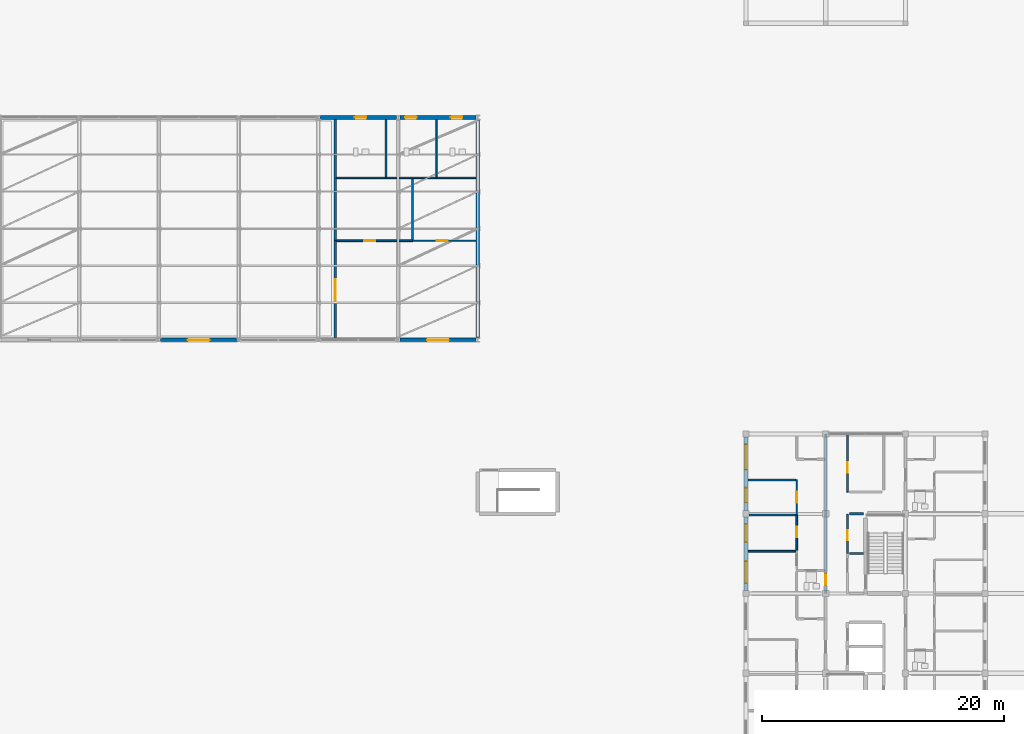
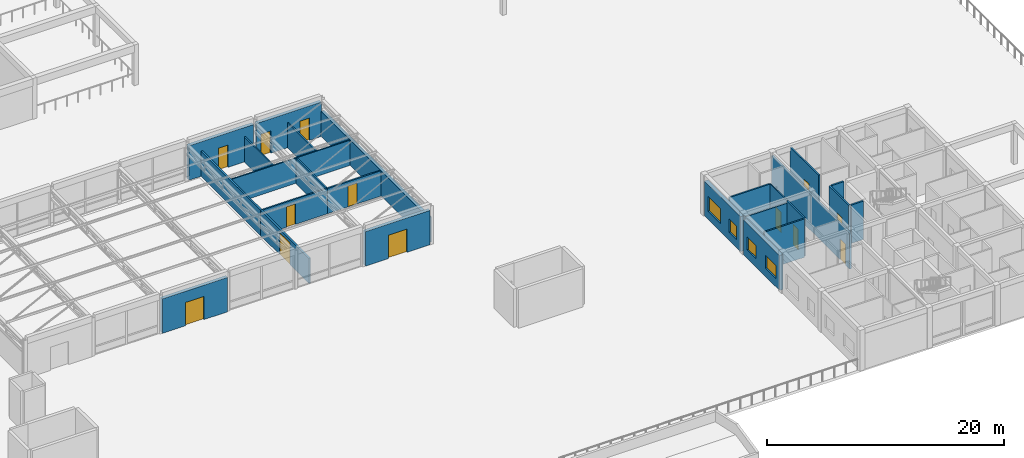
# One storey, part 69 of 92: 25 walls, 13 doors, 4 windows, 17 openings.
"""IFC4 building model written with IfcOpenShell, lengths in metres."""

from ifc_helpers import new_model, si_unit, direction, frame, frame_2d, origin, place, context, subcontext, project, spatial, rectangle, extrude, material, layer, layer_set, type_object, element, fill, save


model = new_model("IFC4")

# Units and contexts
model_context = context("Model", 3, precision=1e-05, world=origin(), true_north=direction((0.0, 1.0)))
body_context = subcontext(model_context, "Body", "Model", "MODEL_VIEW")
ifc_project = project(units=[si_unit("LENGTHUNIT", "METRE"), si_unit("AREAUNIT", "SQUARE_METRE"), si_unit("VOLUMEUNIT", "CUBIC_METRE"), si_unit("PLANEANGLEUNIT", "RADIAN"), si_unit("MASSUNIT", "GRAM", prefix="KILO")], contexts=[model_context])

# Site, building, storey
site_placement = place(None, origin())
site = spatial("IfcSite", under=ifc_project, at=site_placement, CompositionType="ELEMENT")
building_placement = place(site_placement, origin())
building = spatial("IfcBuilding", under=site, at=building_placement, Name="Kernevlak Ridge Housing Community", CompositionType="ELEMENT")
storey_placement = place(building_placement, frame((0.0, 0.0, 4.199951171875)))
storey = spatial("IfcBuildingStorey", under=building, at=storey_placement, Name="L01", CompositionType="ELEMENT", Elevation=4.199951171875)

# Wall, opening, door
ifc_material_1 = material(Name="Concrete block masonry M10", Category="masonry")
ifc_layer_1 = layer(ifc_material_1, 0.320068359375, Name="Concrete block masonry M10")
ifc_layer_set_1 = layer_set([ifc_layer_1], Name="Concrete block masonry M10")
wall_type_1 = type_object("IfcWallType", Name="EW-02", PredefinedType="STANDARD", material=ifc_layer_set_1)
wall_1_placement = place(storey_placement, frame((77.5400390625, 49.800048828125, 0.0), z_axis=(0.0, 0.0, 1.0), x_axis=(1.0, 0.0, 0.0)))
wall_1 = element("IfcWall", 1, at=wall_1_placement, inside=storey, type_object=wall_type_1, Name="Exterior wall EW-02 L01 913", PredefinedType="STANDARD", context=body_context, shape_type="SweptSolid", body=[
    extrude(rectangle(XDim=6.35986328125, YDim=0.320068359375, at=frame_2d((3.179931640625, 0.0))), origin(), (0.0, 0.0, 1.0), 3.550048828125),
])
opening_1_placement = place(wall_1_placement, frame((2.260009765625, 0.0, 0.0)))
opening_1 = element("IfcOpeningElement", 2, at=opening_1_placement, cuts=wall_1, Name="Opening E814", PredefinedType="OPENING", context=body_context, shape_type="SweptSolid", body=[
    extrude(rectangle(XDim=1.800048828125, YDim=2.39990234375, at=frame_2d((0.89990234375, 1.199951171875))), frame((0.0, 0.169921875, 0.0), z_axis=(0.0, -1.0, 0.0), x_axis=(1.0, 0.0, 0.0)), (0.0, 0.0, 1.0), 0.340087890625),
])
ifc_material_2 = material(Name="Aluminium EN AW-6060 and laminated safety glass", Category="aluminium")
door_type_1 = type_object("IfcDoorType", Name="DT-10", OperationType="DOUBLE_DOOR_SINGLE_SWING", PredefinedType="DOOR", material=ifc_material_2)
door_1_placement = place(opening_1_placement, origin())
door_1 = element("IfcDoor", 3, at=door_1_placement, inside=storey, type_object=door_type_1, Name="Community Hall central plaza exit E814", OperationType="DOUBLE_DOOR_SINGLE_SWING", OverallHeight=2.39990234375, OverallWidth=1.800048828125, PredefinedType="DOOR", context=body_context, shape_type="SweptSolid", body=[
    extrude(rectangle(XDim=1.800048828125, YDim=2.39990234375, at=frame_2d((0.89990234375, 1.199951171875))), frame((0.0, 0.02490234375, 0.0), z_axis=(0.0, -1.0, 0.0), x_axis=(1.0, 0.0, 0.0)), (0.0, 0.0, 1.0), 0.050048828125),
])
fill(opening_1, door_1)

wall_2_placement = place(storey_placement, frame((90.739990234375, 68.199951171875, 0.0), z_axis=(0.0, 0.0, 1.0), x_axis=(1.0, 0.0, 0.0)))
wall_2 = element("IfcWall", 4, at=wall_2_placement, inside=storey, type_object=wall_type_1, Name="Exterior wall EW-02 L01 914", PredefinedType="STANDARD", context=body_context, shape_type="SweptSolid", body=[
    extrude(rectangle(XDim=6.31005859375, YDim=0.320068359375, at=frame_2d((3.155029296875, 0.0))), origin(), (0.0, 0.0, 1.0), 3.550048828125),
])
opening_2_placement = place(wall_2_placement, frame((2.885009765625, 0.0, 0.0)))
opening_2 = element("IfcOpeningElement", 5, at=opening_2_placement, cuts=wall_2, Name="Opening E816", PredefinedType="OPENING", context=body_context, shape_type="SweptSolid", body=[
    extrude(rectangle(XDim=0.949951171875, YDim=2.300048828125, at=frame_2d((0.47509765625, 1.14990234375))), frame((0.0, 0.169921875, 0.0), z_axis=(0.0, -1.0, 0.0), x_axis=(1.0, 0.0, 0.0)), (0.0, 0.0, 1.0), 0.340087890625),
])
ifc_material_3 = material(Name="Powder-coated sheet steel", Category="steel")
door_type_2 = type_object("IfcDoorType", Name="DT-14", OperationType="NOTDEFINED", PredefinedType="DOOR", material=ifc_material_3)
door_2_placement = place(opening_2_placement, origin())
door_2 = element("IfcDoor", 6, at=door_2_placement, inside=storey, type_object=door_type_2, Name="Community Male WC plaza door E816", OperationType="SINGLE_SWING_LEFT", OverallHeight=2.300048828125, OverallWidth=0.949951171875, PredefinedType="DOOR", context=body_context, shape_type="SweptSolid", body=[
    extrude(rectangle(XDim=0.949951171875, YDim=2.300048828125, at=frame_2d((0.47509765625, 1.14990234375))), frame((0.0, 0.02490234375, 0.0), z_axis=(0.0, -1.0, 0.0), x_axis=(1.0, 0.0, 0.0)), (0.0, 0.0, 1.0), 0.050048828125),
])
fill(opening_2, door_2)

wall_3_placement = place(storey_placement, frame((97.35009765625, 49.800048828125, 0.0), z_axis=(0.0, 0.0, 1.0), x_axis=(1.0, 0.0, 0.0)))
wall_3 = element("IfcWall", 7, at=wall_3_placement, inside=storey, type_object=wall_type_1, Name="Exterior wall EW-02 L01 915", PredefinedType="STANDARD", context=body_context, shape_type="SweptSolid", body=[
    extrude(rectangle(XDim=6.2998046875, YDim=0.320068359375, at=frame_2d((3.14990234375, 0.0))), origin(), (0.0, 0.0, 1.0), 3.550048828125),
])
opening_3_placement = place(wall_3_placement, frame((2.25, 0.0, 0.0)))
opening_3 = element("IfcOpeningElement", 8, at=opening_3_placement, cuts=wall_3, Name="Opening E815", PredefinedType="OPENING", context=body_context, shape_type="SweptSolid", body=[
    extrude(rectangle(XDim=1.800048828125, YDim=2.39990234375, at=frame_2d((0.89990234375, 1.199951171875))), frame((0.0, 0.169921875, 0.0), z_axis=(0.0, -1.0, 0.0), x_axis=(1.0, 0.0, 0.0)), (0.0, 0.0, 1.0), 0.340087890625),
])
door_3_placement = place(opening_3_placement, origin())
door_3 = element("IfcDoor", 9, at=door_3_placement, inside=storey, type_object=door_type_1, Name="Community Hall Foyer plaza entrance E815", OperationType="DOUBLE_DOOR_SINGLE_SWING", OverallHeight=2.39990234375, OverallWidth=1.800048828125, PredefinedType="DOOR", context=body_context, shape_type="SweptSolid", body=[
    extrude(rectangle(XDim=1.800048828125, YDim=2.39990234375, at=frame_2d((0.89990234375, 1.199951171875))), frame((0.0, 0.02490234375, 0.0), z_axis=(0.0, -1.0, 0.0), x_axis=(1.0, 0.0, 0.0)), (0.0, 0.0, 1.0), 0.050048828125),
])
fill(opening_3, door_3)

# Wall, openings, doors
wall_4_placement = place(storey_placement, frame((97.35009765625, 68.199951171875, 0.0), z_axis=(0.0, 0.0, 1.0), x_axis=(1.0, 0.0, 0.0)))
wall_4 = element("IfcWall", 10, at=wall_4_placement, inside=storey, type_object=wall_type_1, Name="Exterior wall EW-02 L01 916", PredefinedType="STANDARD", context=body_context, shape_type="SweptSolid", body=[
    extrude(rectangle(XDim=6.2998046875, YDim=0.320068359375, at=frame_2d((3.14990234375, 0.0))), origin(), (0.0, 0.0, 1.0), 3.550048828125),
])
opening_4_placement = place(wall_4_placement, frame((0.425048828125, 0.0, 0.0)))
opening_4 = element("IfcOpeningElement", 11, at=opening_4_placement, cuts=wall_4, Name="Opening E817", PredefinedType="OPENING", context=body_context, shape_type="SweptSolid", body=[
    extrude(rectangle(XDim=0.949951171875, YDim=2.300048828125, at=frame_2d((0.47509765625, 1.14990234375))), frame((0.0, 0.169921875, 0.0), z_axis=(0.0, -1.0, 0.0), x_axis=(1.0, 0.0, 0.0)), (0.0, 0.0, 1.0), 0.340087890625),
])
opening_5_placement = place(wall_4_placement, frame((4.22509765625, 0.0, 0.0)))
opening_5 = element("IfcOpeningElement", 12, at=opening_5_placement, cuts=wall_4, Name="Opening E818", PredefinedType="OPENING", context=body_context, shape_type="SweptSolid", body=[
    extrude(rectangle(XDim=0.949951171875, YDim=2.300048828125, at=frame_2d((0.47509765625, 1.14990234375))), frame((0.0, 0.169921875, 0.0), z_axis=(0.0, -1.0, 0.0), x_axis=(1.0, 0.0, 0.0)), (0.0, 0.0, 1.0), 0.340087890625),
])
door_4_placement = place(opening_4_placement, origin())
door_4 = element("IfcDoor", 13, at=door_4_placement, inside=storey, type_object=door_type_2, Name="Community Female WC plaza door E817", OperationType="SINGLE_SWING_RIGHT", OverallHeight=2.300048828125, OverallWidth=0.949951171875, PredefinedType="DOOR", context=body_context, shape_type="SweptSolid", body=[
    extrude(rectangle(XDim=0.949951171875, YDim=2.300048828125, at=frame_2d((0.47509765625, 1.14990234375))), frame((0.0, 0.02490234375, 0.0), z_axis=(0.0, -1.0, 0.0), x_axis=(1.0, 0.0, 0.0)), (0.0, 0.0, 1.0), 0.050048828125),
])
fill(opening_4, door_4)
door_5_placement = place(opening_5_placement, origin())
door_5 = element("IfcDoor", 14, at=door_5_placement, inside=storey, type_object=door_type_2, Name="Community Accessible WC plaza door E818", OperationType="SINGLE_SWING_LEFT", OverallHeight=2.300048828125, OverallWidth=0.949951171875, PredefinedType="DOOR", context=body_context, shape_type="SweptSolid", body=[
    extrude(rectangle(XDim=0.949951171875, YDim=2.300048828125, at=frame_2d((0.47509765625, 1.14990234375))), frame((0.0, 0.02490234375, 0.0), z_axis=(0.0, -1.0, 0.0), x_axis=(1.0, 0.0, 0.0)), (0.0, 0.0, 1.0), 0.050048828125),
])
fill(opening_5, door_5)

# Wall
wall_5_placement = place(storey_placement, frame((103.800048828125, 49.969970703125, 0.0), z_axis=(0.0, 0.0, 1.0), x_axis=(0.0, 1.0, 0.0)))
element("IfcWall", 15, at=wall_5_placement, inside=storey, type_object=wall_type_1, Name="Exterior wall EW-02 L01 918", PredefinedType="STANDARD", context=body_context, shape_type="SweptSolid", body=[
    extrude(rectangle(XDim=18.06005859375, YDim=0.320068359375, at=frame_2d((9.030029296875, 0.0))), origin(), (0.0, 0.0, 1.0), 2.60009765625),
])

# Wall, openings, windows
ifc_layer_2 = layer(ifc_material_1, 0.340087890625, Name="Concrete block masonry M10")
ifc_layer_set_2 = layer_set([ifc_layer_2], Name="Concrete block masonry M10")
wall_type_2 = type_object("IfcWallType", Name="EW-04", PredefinedType="STANDARD", material=ifc_layer_set_2)
wall_6_placement = place(storey_placement, frame((126.0, 29.050048828125, 0.0), z_axis=(0.0, 0.0, 1.0), x_axis=(0.0, 1.0, 0.0)))
wall_6 = element("IfcWall", 16, at=wall_6_placement, inside=storey, type_object=wall_type_2, Name="Exterior wall EW-04 L01 548", PredefinedType="STANDARD", context=body_context, shape_type="SweptSolid", body=[
    extrude(rectangle(XDim=6.099853515625, YDim=0.340087890625, at=frame_2d((3.0498046875, 0.0))), origin(), (0.0, 0.0, 1.0), 3.60009765625),
])
opening_6_placement = place(wall_6_placement, frame((0.60009765625, 0.0, 0.85009765625)))
opening_6 = element("IfcOpeningElement", 17, at=opening_6_placement, cuts=wall_6, Name="Opening WT-03", PredefinedType="OPENING", context=body_context, shape_type="SweptSolid", body=[
    extrude(rectangle(XDim=1.800048828125, YDim=1.35009765625, at=frame_2d((0.89990234375, 0.675048828125))), frame((0.0, 0.179931640625, 0.0), z_axis=(0.0, -1.0, 0.0), x_axis=(1.0, 0.0, 0.0)), (0.0, 0.0, 1.0), 0.360107421875),
])
opening_7_placement = place(wall_6_placement, frame((4.0, 0.0, 0.85009765625)))
opening_7 = element("IfcOpeningElement", 18, at=opening_7_placement, cuts=wall_6, Name="Opening WT-02", PredefinedType="OPENING", context=body_context, shape_type="SweptSolid", body=[
    extrude(rectangle(XDim=1.5, YDim=1.35009765625, at=frame_2d((0.75, 0.675048828125))), frame((0.0, 0.179931640625, 0.0), z_axis=(0.0, -1.0, 0.0), x_axis=(1.0, 0.0, 0.0)), (0.0, 0.0, 1.0), 0.360107421875),
])
ifc_material_4 = material(Name="Aluminium EN AW-6060 anodised and laminated glass", Category="aluminium")
window_type_1 = type_object("IfcWindowType", Name="WT-02", PartitioningType="SINGLE_PANEL", PredefinedType="WINDOW", material=ifc_material_4)
window_1_placement = place(opening_7_placement, origin())
window_1 = element("IfcWindow", 19, at=window_1_placement, inside=storey, type_object=window_type_1, Name="Window WT-02 L01 432", OverallHeight=1.35009765625, OverallWidth=1.5, PartitioningType="SINGLE_PANEL", PredefinedType="WINDOW", context=body_context, shape_type="SweptSolid", body=[
    extrude(rectangle(XDim=1.5, YDim=1.35009765625, at=frame_2d((0.75, 0.675048828125))), frame((0.0, 0.030029296875, 0.0), z_axis=(0.0, -1.0, 0.0), x_axis=(1.0, 0.0, 0.0)), (0.0, 0.0, 1.0), 0.06005859375),
])
fill(opening_7, window_1)
window_type_2 = type_object("IfcWindowType", Name="WT-03", PartitioningType="SINGLE_PANEL", PredefinedType="WINDOW", material=ifc_material_4)
window_2_placement = place(opening_6_placement, origin())
window_2 = element("IfcWindow", 20, at=window_2_placement, inside=storey, type_object=window_type_2, Name="Window WT-03 L01 431", OverallHeight=1.35009765625, OverallWidth=1.800048828125, PartitioningType="SINGLE_PANEL", PredefinedType="WINDOW", context=body_context, shape_type="SweptSolid", body=[
    extrude(rectangle(XDim=1.800048828125, YDim=1.35009765625, at=frame_2d((0.89990234375, 0.675048828125))), frame((0.0, 0.030029296875, 0.0), z_axis=(0.0, -1.0, 0.0), x_axis=(1.0, 0.0, 0.0)), (0.0, 0.0, 1.0), 0.06005859375),
])
fill(opening_6, window_2)

wall_7_placement = place(storey_placement, frame((126.0, 35.64990234375, 0.0), z_axis=(0.0, 0.0, 1.0), x_axis=(0.0, 1.0, 0.0)))
wall_7 = element("IfcWall", 21, at=wall_7_placement, inside=storey, type_object=wall_type_2, Name="Exterior wall EW-04 L01 549", PredefinedType="STANDARD", context=body_context, shape_type="SweptSolid", body=[
    extrude(rectangle(XDim=6.10009765625, YDim=0.340087890625, at=frame_2d((3.050048828125, 0.0))), origin(), (0.0, 0.0, 1.0), 3.60009765625),
])
opening_8_placement = place(wall_7_placement, frame((0.699951171875, 0.0, 0.85009765625)))
opening_8 = element("IfcOpeningElement", 22, at=opening_8_placement, cuts=wall_7, Name="Opening WT-01", PredefinedType="OPENING", context=body_context, shape_type="SweptSolid", body=[
    extrude(rectangle(XDim=1.199951171875, YDim=1.35009765625, at=frame_2d((0.60009765625, 0.675048828125))), frame((0.0, 0.179931640625, 0.0), z_axis=(0.0, -1.0, 0.0), x_axis=(1.0, 0.0, 0.0)), (0.0, 0.0, 1.0), 0.360107421875),
])
opening_9_placement = place(wall_7_placement, frame((3.39990234375, 0.0, 0.85009765625)))
opening_9 = element("IfcOpeningElement", 23, at=opening_9_placement, cuts=wall_7, Name="Opening WT-05", PredefinedType="OPENING", context=body_context, shape_type="SweptSolid", body=[
    extrude(rectangle(XDim=2.10009765625, YDim=1.550048828125, at=frame_2d((1.050048828125, 0.77490234375))), frame((0.0, 0.179931640625, 0.0), z_axis=(0.0, -1.0, 0.0), x_axis=(1.0, 0.0, 0.0)), (0.0, 0.0, 1.0), 0.360107421875),
])
window_type_3 = type_object("IfcWindowType", Name="WT-01", PartitioningType="SINGLE_PANEL", PredefinedType="WINDOW", material=ifc_material_4)
window_3_placement = place(opening_8_placement, origin())
window_3 = element("IfcWindow", 24, at=window_3_placement, inside=storey, type_object=window_type_3, Name="Window WT-01 L01 433", OverallHeight=1.35009765625, OverallWidth=1.199951171875, PartitioningType="SINGLE_PANEL", PredefinedType="WINDOW", context=body_context, shape_type="SweptSolid", body=[
    extrude(rectangle(XDim=1.199951171875, YDim=1.35009765625, at=frame_2d((0.60009765625, 0.675048828125))), frame((0.0, 0.030029296875, 0.0), z_axis=(0.0, -1.0, 0.0), x_axis=(1.0, 0.0, 0.0)), (0.0, 0.0, 1.0), 0.06005859375),
])
fill(opening_8, window_3)
window_type_4 = type_object("IfcWindowType", Name="WT-05", PartitioningType="SINGLE_PANEL", PredefinedType="WINDOW", material=ifc_material_4)
window_4_placement = place(opening_9_placement, origin())
window_4 = element("IfcWindow", 25, at=window_4_placement, inside=storey, type_object=window_type_4, Name="Window WT-05 L01 434", OverallHeight=1.550048828125, OverallWidth=2.10009765625, PartitioningType="SINGLE_PANEL", PredefinedType="WINDOW", context=body_context, shape_type="SweptSolid", body=[
    extrude(rectangle(XDim=2.10009765625, YDim=1.550048828125, at=frame_2d((1.050048828125, 0.77490234375))), frame((0.0, 0.030029296875, 0.0), z_axis=(0.0, -1.0, 0.0), x_axis=(1.0, 0.0, 0.0)), (0.0, 0.0, 1.0), 0.06005859375),
])
fill(opening_9, window_4)

# Wall, opening, door
ifc_layer_3 = layer(ifc_material_1, 0.175048828125, Name="Concrete block masonry M10")
ifc_layer_set_3 = layer_set([ifc_layer_3], Name="Concrete block masonry M10")
wall_type_3 = type_object("IfcWallType", Name="PW-02", PredefinedType="PARTITIONING", material=ifc_layer_set_3)
wall_8_placement = place(storey_placement, frame((134.39990234375, 32.10009765625, 0.0), z_axis=(0.0, 0.0, 1.0), x_axis=(0.0, 1.0, 0.0)))
wall_8 = element("IfcWall", 26, at=wall_8_placement, inside=storey, type_object=wall_type_3, Name="Interior wall PW-02 WAL-INT-L01-2174", PredefinedType="PARTITIONING", context=body_context, shape_type="SweptSolid", body=[
    extrude(rectangle(XDim=3.2998046875, YDim=0.175048828125, at=frame_2d((1.64990234375, 0.0))), origin(), (0.0, 0.0, 1.0), 3.9599609375),
])
opening_10_placement = place(wall_8_placement, frame((1.10009765625, 0.0, 0.0)))
opening_10 = element("IfcOpeningElement", 27, at=opening_10_placement, cuts=wall_8, Name="Opening E102", PredefinedType="OPENING", context=body_context, shape_type="SweptSolid", body=[
    extrude(rectangle(XDim=0.85009765625, YDim=2.0, at=frame_2d((0.425048828125, 1.0))), frame((0.0, 0.097412109375, 0.0), z_axis=(0.0, -1.0, 0.0), x_axis=(1.0, 0.0, 0.0)), (0.0, 0.0, 1.0), 0.195068359375),
])
ifc_material_5 = material(Name="Fire-rated sheet steel leaf", Category="steel")
door_type_3 = type_object("IfcDoorType", Name="DT-07", OperationType="NOTDEFINED", PredefinedType="DOOR", material=ifc_material_5)
door_6_placement = place(opening_10_placement, origin())
door_6 = element("IfcDoor", 28, at=door_6_placement, inside=storey, type_object=door_type_3, Name="Block C Cleaner store door E102", OperationType="SINGLE_SWING_LEFT", OverallHeight=2.0, OverallWidth=0.85009765625, PredefinedType="DOOR", context=body_context, shape_type="SweptSolid", body=[
    extrude(rectangle(XDim=0.85009765625, YDim=2.0, at=frame_2d((0.425048828125, 1.0))), frame((0.0, 0.02490234375, 0.0), z_axis=(0.0, -1.0, 0.0), x_axis=(1.0, 0.0, 0.0)), (0.0, 0.0, 1.0), 0.050048828125),
])
fill(opening_10, door_6)

# Walls
for number, where, z_axis, x_axis, name in (
    (29, (134.580078125, 32.10009765625, 0.0), (0.0, 0.0, 1.0), (1.0, 0.0, 0.0), "Interior wall PW-02 WAL-INT-L01-2176"),
    (30, (134.580078125, 35.39990234375, 0.0), (0.0, 0.0, 1.0), (1.0, 0.0, 0.0), "Interior wall PW-02 WAL-INT-L01-2177"),
):
    element("IfcWall", number, at=place(storey_placement, frame(where, z_axis=z_axis, x_axis=x_axis)), inside=storey, type_object=wall_type_3, Name=name, PredefinedType="PARTITIONING", context=body_context, shape_type="SweptSolid", body=[
        extrude(rectangle(XDim=1.139892578125, YDim=0.175048828125, at=frame_2d((0.56982421875, 0.0))), origin(), (0.0, 0.0, 1.0), 3.9599609375),
    ])

# Wall, opening, door
wall_9_placement = place(storey_placement, frame((132.60009765625, 28.800048828125, 0.0), z_axis=(0.0, 0.0, 1.0), x_axis=(0.0, 1.0, 0.0)))
wall_9 = element("IfcWall", 31, at=wall_9_placement, inside=storey, type_object=wall_type_3, Name="Interior wall PW-02 WAL-INT-L01-2192", PredefinedType="PARTITIONING", context=body_context, shape_type="SweptSolid", body=[
    extrude(rectangle(XDim=13.199951171875, YDim=0.175048828125, at=frame_2d((6.60009765625, 0.0))), origin(), (0.0, 0.0, 1.0), 3.699951171875),
])
opening_11_placement = place(wall_9_placement, frame((0.669921875, 0.0, 0.0)))
opening_11 = element("IfcOpeningElement", 32, at=opening_11_placement, cuts=wall_9, Name="Opening E110", PredefinedType="OPENING", context=body_context, shape_type="SweptSolid", body=[
    extrude(rectangle(XDim=0.9599609375, YDim=2.179931640625, at=frame_2d((0.47998046875, 1.08984375))), frame((0.0, 0.097412109375, 0.0), z_axis=(0.0, -1.0, 0.0), x_axis=(1.0, 0.0, 0.0)), (0.0, 0.0, 1.0), 0.195068359375),
])
ifc_material_6 = material(Name="Hardwood timber solid-core fire leaf", Category="wood")
door_type_4 = type_object("IfcDoorType", Name="DT-29", OperationType="NOTDEFINED", PredefinedType="DOOR", material=ifc_material_6)
door_7_placement = place(opening_11_placement, origin())
door_7 = element("IfcDoor", 33, at=door_7_placement, inside=storey, type_object=door_type_4, Name="Flat C0112 entrance fire door E110", OperationType="SINGLE_SWING_LEFT", OverallHeight=2.179931640625, OverallWidth=0.9599609375, PredefinedType="DOOR", context=body_context, shape_type="SweptSolid", body=[
    extrude(rectangle(XDim=0.9599609375, YDim=2.179931640625, at=frame_2d((0.47998046875, 1.08984375))), frame((0.0, 0.02490234375, 0.0), z_axis=(0.0, -1.0, 0.0), x_axis=(1.0, 0.0, 0.0)), (0.0, 0.0, 1.0), 0.050048828125),
])
fill(opening_11, door_7)

wall_10_placement = place(storey_placement, frame((92.0, 49.800048828125, 0.0), z_axis=(0.0, 0.0, 1.0), x_axis=(0.0, 1.0, 0.0)))
wall_10 = element("IfcWall", 34, at=wall_10_placement, inside=storey, type_object=wall_type_3, Name="Interior wall PW-02 WAL-INT-L01-3572", PredefinedType="PARTITIONING", context=body_context, shape_type="SweptSolid", body=[
    extrude(rectangle(XDim=8.199951171875, YDim=0.175048828125, at=frame_2d((4.10009765625, 0.0))), origin(), (0.0, 0.0, 1.0), 2.60009765625),
])
opening_12_placement = place(wall_10_placement, frame((3.199951171875, 0.0, 0.0)))
opening_12 = element("IfcOpeningElement", 35, at=opening_12_placement, cuts=wall_10, Name="Opening E810", PredefinedType="OPENING", context=body_context, shape_type="SweptSolid", body=[
    extrude(rectangle(XDim=1.800048828125, YDim=2.260009765625, at=frame_2d((0.89990234375, 1.1298828125))), frame((0.0, 0.097412109375, 0.0), z_axis=(0.0, -1.0, 0.0), x_axis=(1.0, 0.0, 0.0)), (0.0, 0.0, 1.0), 0.195068359375),
])
door_type_5 = type_object("IfcDoorType", Name="DT-19", OperationType="DOUBLE_DOOR_SINGLE_SWING", PredefinedType="DOOR", material=ifc_material_6)
door_8_placement = place(opening_12_placement, origin())
door_8 = element("IfcDoor", 36, at=door_8_placement, inside=storey, type_object=door_type_5, Name="Community Hall main double fire doors E810", OperationType="DOUBLE_DOOR_SINGLE_SWING", OverallHeight=2.260009765625, OverallWidth=1.800048828125, PredefinedType="DOOR", context=body_context, shape_type="SweptSolid", body=[
    extrude(rectangle(XDim=1.800048828125, YDim=2.260009765625, at=frame_2d((0.89990234375, 1.1298828125))), frame((0.0, 0.02490234375, 0.0), z_axis=(0.0, -1.0, 0.0), x_axis=(1.0, 0.0, 0.0)), (0.0, 0.0, 1.0), 0.050048828125),
])
fill(opening_12, door_8)

# Wall
wall_11_placement = place(storey_placement, frame((92.0, 58.0, 0.0), z_axis=(0.0, 0.0, 1.0), x_axis=(0.0, 1.0, 0.0)))
element("IfcWall", 37, at=wall_11_placement, inside=storey, type_object=wall_type_3, Name="Interior wall PW-02 WAL-INT-L01-3573", PredefinedType="PARTITIONING", context=body_context, shape_type="SweptSolid", body=[
    extrude(rectangle(XDim=10.030029296875, YDim=0.175048828125, at=frame_2d((5.01513671875, 0.0))), origin(), (0.0, 0.0, 1.0), 2.60009765625),
])

# Wall, opening, door
ifc_layer_4 = layer(ifc_material_1, 0.14501953125, Name="Concrete block masonry M10")
ifc_layer_set_4 = layer_set([ifc_layer_4], Name="Concrete block masonry M10")
wall_type_4 = type_object("IfcWallType", Name="PW-03", PredefinedType="PARTITIONING", material=ifc_layer_set_4)
wall_12_placement = place(storey_placement, frame((134.39990234375, 37.199951171875, 0.0), z_axis=(0.0, 0.0, 1.0), x_axis=(0.0, 1.0, 0.0)))
wall_12 = element("IfcWall", 38, at=wall_12_placement, inside=storey, type_object=wall_type_4, Name="Interior wall PW-03 WAL-INT-L01-2178", PredefinedType="PARTITIONING", context=body_context, shape_type="SweptSolid", body=[
    extrude(rectangle(XDim=4.800048828125, YDim=0.14501953125, at=frame_2d((2.39990234375, 0.0))), origin(), (0.0, 0.0, 1.0), 3.9599609375),
])
opening_13_placement = place(wall_12_placement, frame((1.60009765625, 0.0, 0.0)))
opening_13 = element("IfcOpeningElement", 39, at=opening_13_placement, cuts=wall_12, Name="Opening E103", PredefinedType="OPENING", context=body_context, shape_type="SweptSolid", body=[
    extrude(rectangle(XDim=0.8798828125, YDim=2.10009765625, at=frame_2d((0.43994140625, 1.050048828125))), frame((0.0, 0.08251953125, 0.0), z_axis=(0.0, -1.0, 0.0), x_axis=(1.0, 0.0, 0.0)), (0.0, 0.0, 1.0), 0.1650390625),
])
ifc_material_7 = material(Name="Hardwood timber leaf", Category="wood")
door_type_6 = type_object("IfcDoorType", Name="DT-25", OperationType="NOTDEFINED", PredefinedType="DOOR", material=ifc_material_7)
door_9_placement = place(opening_13_placement, origin())
door_9 = element("IfcDoor", 40, at=door_9_placement, inside=storey, type_object=door_type_6, Name="Block C Laundry room door E103", OperationType="SINGLE_SWING_RIGHT", OverallHeight=2.10009765625, OverallWidth=0.8798828125, PredefinedType="DOOR", context=body_context, shape_type="SweptSolid", body=[
    extrude(rectangle(XDim=0.8798828125, YDim=2.10009765625, at=frame_2d((0.43994140625, 1.050048828125))), frame((0.0, 0.02490234375, 0.0), z_axis=(0.0, -1.0, 0.0), x_axis=(1.0, 0.0, 0.0)), (0.0, 0.0, 1.0), 0.050048828125),
])
fill(opening_13, door_9)

# Wall
wall_13_placement = place(storey_placement, frame((130.117431640625, 32.300048828125, 0.0), z_axis=(0.0, 0.0, 1.0), x_axis=(-1.0, 0.0, 0.0)))
element("IfcWall", 41, at=wall_13_placement, inside=storey, type_object=wall_type_4, Name="Interior wall PW-03 WAL-INT-L01-2198", PredefinedType="PARTITIONING", context=body_context, shape_type="SweptSolid", body=[
    extrude(rectangle(XDim=3.9375, YDim=0.14501953125, at=frame_2d((1.96875, 0.0))), origin(), (0.0, 0.0, 1.0), 3.9599609375),
])

# Wall, opening, door
wall_14_placement = place(storey_placement, frame((130.199951171875, 32.382568359375, 0.0), z_axis=(0.0, 0.0, 1.0), x_axis=(0.0, 1.0, 0.0)))
wall_14 = element("IfcWall", 42, at=wall_14_placement, inside=storey, type_object=wall_type_4, Name="Interior wall PW-03 WAL-INT-L01-2199", PredefinedType="PARTITIONING", context=body_context, shape_type="SweptSolid", body=[
    extrude(rectangle(XDim=2.91748046875, YDim=0.14501953125, at=frame_2d((1.458740234375, 0.0))), origin(), (0.0, 0.0, 1.0), 3.9599609375),
])
opening_14_placement = place(wall_14_placement, frame((1.074951171875, 0.0, 0.0)))
opening_14 = element("IfcOpeningElement", 43, at=opening_14_placement, cuts=wall_14, Name="Opening E114", PredefinedType="OPENING", context=body_context, shape_type="SweptSolid", body=[
    extrude(rectangle(XDim=0.860107421875, YDim=2.1201171875, at=frame_2d((0.43017578125, 1.06005859375))), frame((0.0, 0.08251953125, 0.0), z_axis=(0.0, -1.0, 0.0), x_axis=(1.0, 0.0, 0.0)), (0.0, 0.0, 1.0), 0.1650390625),
])
door_type_7 = type_object("IfcDoorType", Name="DT-28", OperationType="NOTDEFINED", PredefinedType="DOOR", material=ifc_material_7)
door_10_placement = place(opening_14_placement, origin())
door_10 = element("IfcDoor", 44, at=door_10_placement, inside=storey, type_object=door_type_7, Name="Flat C0112 bedroom door E114", OperationType="SINGLE_SWING_LEFT", OverallHeight=2.1201171875, OverallWidth=0.860107421875, PredefinedType="DOOR", context=body_context, shape_type="SweptSolid", body=[
    extrude(rectangle(XDim=0.860107421875, YDim=2.1201171875, at=frame_2d((0.43017578125, 1.06005859375))), frame((0.0, 0.02490234375, 0.0), z_axis=(0.0, -1.0, 0.0), x_axis=(1.0, 0.0, 0.0)), (0.0, 0.0, 1.0), 0.050048828125),
])
fill(opening_14, door_10)

# Walls
wall_15_placement = place(storey_placement, frame((130.117431640625, 35.300048828125, 0.0), z_axis=(0.0, 0.0, 1.0), x_axis=(-1.0, 0.0, 0.0)))
element("IfcWall", 45, at=wall_15_placement, inside=storey, type_object=wall_type_4, Name="Interior wall PW-03 WAL-INT-L01-2200", PredefinedType="PARTITIONING", context=body_context, shape_type="SweptSolid", body=[
    extrude(rectangle(XDim=4.037353515625, YDim=0.14501953125, at=frame_2d((2.0185546875, 0.0))), origin(), (0.0, 0.0, 1.0), 3.75),
])
wall_16_placement = place(storey_placement, frame((130.1201171875, 38.199951171875, 0.0), z_axis=(0.0, 0.0, 1.0), x_axis=(-1.0, 0.0, 0.0)))
element("IfcWall", 46, at=wall_16_placement, inside=storey, type_object=wall_type_4, Name="Interior wall PW-03 WAL-INT-L01-2202", PredefinedType="PARTITIONING", context=body_context, shape_type="SweptSolid", body=[
    extrude(rectangle(XDim=3.940185546875, YDim=0.14501953125, at=frame_2d((1.97021484375, 0.0))), origin(), (0.0, 0.0, 1.0), 3.9599609375),
])

# Wall, opening, door
wall_17_placement = place(storey_placement, frame((92.10009765625, 58.0, 0.0), z_axis=(0.0, 0.0, 1.0), x_axis=(1.0, 0.0, 0.0)))
wall_17 = element("IfcWall", 47, at=wall_17_placement, inside=storey, type_object=wall_type_4, Name="Interior wall PW-03 WAL-INT-L01-3574", PredefinedType="PARTITIONING", context=body_context, shape_type="SweptSolid", body=[
    extrude(rectangle(XDim=6.2998046875, YDim=0.14501953125, at=frame_2d((3.14990234375, 0.0))), origin(), (0.0, 0.0, 1.0), 2.60009765625),
])
opening_15_placement = place(wall_17_placement, frame((2.300048828125, 0.0, 0.0)))
opening_15 = element("IfcOpeningElement", 48, at=opening_15_placement, cuts=wall_17, Name="Opening E811", PredefinedType="OPENING", context=body_context, shape_type="SweptSolid", body=[
    extrude(rectangle(XDim=0.89990234375, YDim=2.10009765625, at=frame_2d((0.449951171875, 1.050048828125))), frame((0.0, 0.08251953125, 0.0), z_axis=(0.0, -1.0, 0.0), x_axis=(1.0, 0.0, 0.0)), (0.0, 0.0, 1.0), 0.1650390625),
])
door_type_8 = type_object("IfcDoorType", Name="DT-21", OperationType="NOTDEFINED", PredefinedType="DOOR", material=ifc_material_7)
door_11_placement = place(opening_15_placement, origin())
door_11 = element("IfcDoor", 49, at=door_11_placement, inside=storey, type_object=door_type_8, Name="Community kitchen door E811", OperationType="SINGLE_SWING_RIGHT", OverallHeight=2.10009765625, OverallWidth=0.89990234375, PredefinedType="DOOR", context=body_context, shape_type="SweptSolid", body=[
    extrude(rectangle(XDim=0.89990234375, YDim=2.10009765625, at=frame_2d((0.449951171875, 1.050048828125))), frame((0.0, 0.02490234375, 0.0), z_axis=(0.0, -1.0, 0.0), x_axis=(1.0, 0.0, 0.0)), (0.0, 0.0, 1.0), 0.050048828125),
])
fill(opening_15, door_11)

wall_18_placement = place(storey_placement, frame((98.39990234375, 58.0, 0.0), z_axis=(0.0, 0.0, 1.0), x_axis=(1.0, 0.0, 0.0)))
wall_18 = element("IfcWall", 50, at=wall_18_placement, inside=storey, type_object=wall_type_4, Name="Interior wall PW-03 WAL-INT-L01-3575", PredefinedType="PARTITIONING", context=body_context, shape_type="SweptSolid", body=[
    extrude(rectangle(XDim=5.22998046875, YDim=0.14501953125, at=frame_2d((2.614990234375, 0.0))), origin(), (0.0, 0.0, 1.0), 2.60009765625),
])
opening_16_placement = place(wall_18_placement, frame((2.0, 0.0, 0.0)))
opening_16 = element("IfcOpeningElement", 51, at=opening_16_placement, cuts=wall_18, Name="Opening E812", PredefinedType="OPENING", context=body_context, shape_type="SweptSolid", body=[
    extrude(rectangle(XDim=0.89990234375, YDim=2.159912109375, at=frame_2d((0.449951171875, 1.080078125))), frame((0.0, 0.08251953125, 0.0), z_axis=(0.0, -1.0, 0.0), x_axis=(1.0, 0.0, 0.0)), (0.0, 0.0, 1.0), 0.1650390625),
])
door_type_9 = type_object("IfcDoorType", Name="DT-22", OperationType="NOTDEFINED", PredefinedType="DOOR", material=ifc_material_7)
door_12_placement = place(opening_16_placement, origin())
door_12 = element("IfcDoor", 52, at=door_12_placement, inside=storey, type_object=door_type_9, Name="Chair store door E812", OperationType="SINGLE_SWING_LEFT", OverallHeight=2.159912109375, OverallWidth=0.89990234375, PredefinedType="DOOR", context=body_context, shape_type="SweptSolid", body=[
    extrude(rectangle(XDim=0.89990234375, YDim=2.159912109375, at=frame_2d((0.449951171875, 1.080078125))), frame((0.0, 0.02490234375, 0.0), z_axis=(0.0, -1.0, 0.0), x_axis=(1.0, 0.0, 0.0)), (0.0, 0.0, 1.0), 0.050048828125),
])
fill(opening_16, door_12)

# Walls
wall_19_placement = place(storey_placement, frame((98.39990234375, 58.08251953125, 0.0), z_axis=(0.0, 0.0, 1.0), x_axis=(0.0, 1.0, 0.0)))
element("IfcWall", 53, at=wall_19_placement, inside=storey, type_object=wall_type_4, Name="Interior wall PW-03 WAL-INT-L01-3577", PredefinedType="PARTITIONING", context=body_context, shape_type="SweptSolid", body=[
    extrude(rectangle(XDim=5.044921875, YDim=0.14501953125, at=frame_2d((2.5224609375, 0.0))), origin(), (0.0, 0.0, 1.0), 2.60009765625),
])
ifc_material_8 = material(Name="Gypsum plasterboard EN 520", Category="gypsum")
ifc_layer_5 = layer(ifc_material_8, 0.125, Name="Gypsum plasterboard EN 520")
ifc_layer_set_5 = layer_set([ifc_layer_5], Name="Gypsum plasterboard EN 520")
wall_type_5 = type_object("IfcWallType", Name="PW-04", PredefinedType="PARTITIONING", material=ifc_layer_set_5)
wall_20_placement = place(storey_placement, frame((92.097412109375, 63.199951171875, 0.0), z_axis=(0.0, 0.0, 1.0), x_axis=(1.0, 0.0, 0.0)))
element("IfcWall", 54, at=wall_20_placement, inside=storey, type_object=wall_type_5, Name="Interior wall PW-04 WAL-INT-L01-3576", PredefinedType="PARTITIONING", context=body_context, shape_type="SweptSolid", body=[
    extrude(rectangle(XDim=11.532470703125, YDim=0.125, at=frame_2d((5.76611328125, 0.0))), origin(), (0.0, 0.0, 1.0), 2.60009765625),
])
for number, where, z_axis, x_axis, name in (
    (55, (96.199951171875, 63.2724609375, 0.0), (0.0, 0.0, 1.0), (0.0, 1.0, 0.0), "Interior wall PW-04 WAL-INT-L01-3578"),
    (56, (100.39990234375, 63.2724609375, 0.0), (0.0, 0.0, 1.0), (0.0, 1.0, 0.0), "Interior wall PW-04 WAL-INT-L01-3579"),
):
    element("IfcWall", number, at=place(storey_placement, frame(where, z_axis=z_axis, x_axis=x_axis)), inside=storey, type_object=wall_type_5, Name=name, PredefinedType="PARTITIONING", context=body_context, shape_type="SweptSolid", body=[
        extrude(rectangle(XDim=4.757568359375, YDim=0.125, at=frame_2d((2.37890625, 0.0))), origin(), (0.0, 0.0, 1.0), 2.60009765625),
    ])

# Wall, opening, door
ifc_layer_6 = layer(ifc_material_8, 0.10498046875, Name="Gypsum plasterboard EN 520")
ifc_layer_set_6 = layer_set([ifc_layer_6], Name="Gypsum plasterboard EN 520")
wall_type_6 = type_object("IfcWallType", Name="PW-06", PredefinedType="PARTITIONING", material=ifc_layer_set_6)
wall_21_placement = place(storey_placement, frame((130.199951171875, 35.300048828125, 0.0), z_axis=(0.0, 0.0, 1.0), x_axis=(0.0, 1.0, 0.0)))
wall_21 = element("IfcWall", 57, at=wall_21_placement, inside=storey, type_object=wall_type_6, Name="Interior wall PW-06 WAL-INT-L01-2201", PredefinedType="PARTITIONING", context=body_context, shape_type="SweptSolid", body=[
    extrude(rectangle(XDim=2.89990234375, YDim=0.10498046875, at=frame_2d((1.449951171875, 0.0))), origin(), (0.0, 0.0, 1.0), 3.9599609375),
])
opening_17_placement = place(wall_21_placement, frame((1.02490234375, 0.0, 0.0)))
opening_17 = element("IfcOpeningElement", 58, at=opening_17_placement, cuts=wall_21, Name="Opening E115", PredefinedType="OPENING", context=body_context, shape_type="SweptSolid", body=[
    extrude(rectangle(XDim=0.909912109375, YDim=2.139892578125, at=frame_2d((0.455078125, 1.06982421875))), frame((0.0, 0.0625, 0.0), z_axis=(0.0, -1.0, 0.0), x_axis=(1.0, 0.0, 0.0)), (0.0, 0.0, 1.0), 0.125),
])
door_type_10 = type_object("IfcDoorType", Name="DT-31", OperationType="NOTDEFINED", PredefinedType="DOOR", material=ifc_material_7)
door_13_placement = place(opening_17_placement, origin())
door_13 = element("IfcDoor", 59, at=door_13_placement, inside=storey, type_object=door_type_10, Name="Flat C0112 bedroom door E115", OperationType="SINGLE_SWING_RIGHT", OverallHeight=2.139892578125, OverallWidth=0.909912109375, PredefinedType="DOOR", context=body_context, shape_type="SweptSolid", body=[
    extrude(rectangle(XDim=0.909912109375, YDim=2.139892578125, at=frame_2d((0.455078125, 1.06982421875))), frame((0.0, 0.02490234375, 0.0), z_axis=(0.0, -1.0, 0.0), x_axis=(1.0, 0.0, 0.0)), (0.0, 0.0, 1.0), 0.050048828125),
])
fill(opening_17, door_13)

save(model, "model.ifc")
